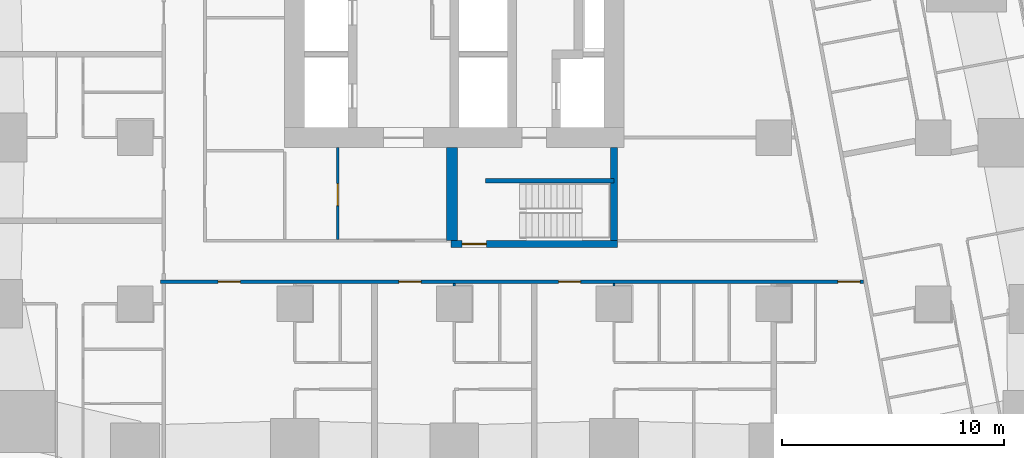
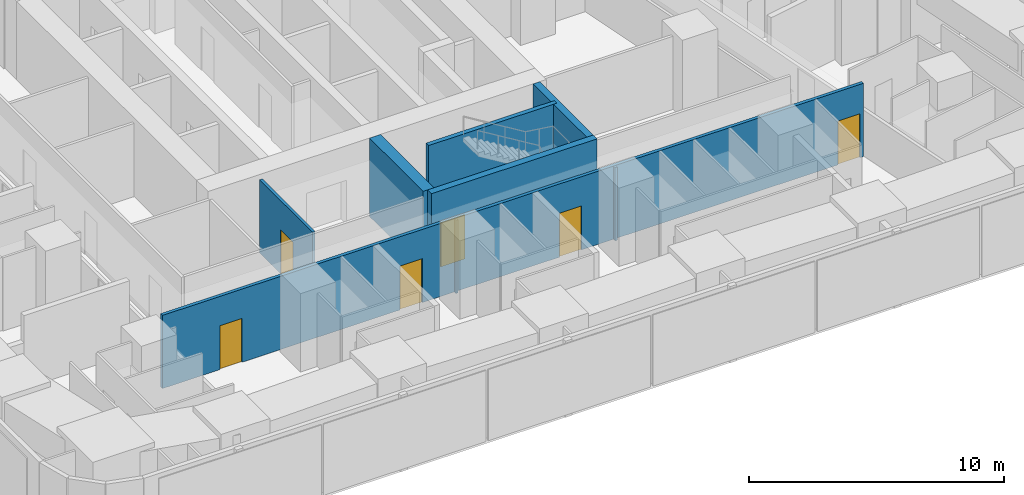
# One storey, part 4 of 16: 8 walls, 6 doors, 6 openings.
"""IFC4 building model written with IfcOpenShell, lengths in metres."""

from ifc_helpers import new_model, si_unit, direction, frame, frame_2d, origin, place, context, subcontext, project, spatial, rectangle, extrude, material, layer, layer_set, type_object, element, fill, save


model = new_model("IFC4")

# Units and contexts
model_context = context("Model", 3, precision=1e-05, world=origin(), true_north=direction((0.0, 1.0)))
body_context = subcontext(model_context, "Body", "Model", "MODEL_VIEW")
ifc_project = project(units=[si_unit("LENGTHUNIT", "METRE"), si_unit("AREAUNIT", "SQUARE_METRE"), si_unit("VOLUMEUNIT", "CUBIC_METRE"), si_unit("PLANEANGLEUNIT", "RADIAN"), si_unit("MASSUNIT", "GRAM", prefix="KILO")], contexts=[model_context])

# Site, building, storey
site_placement = place(None, origin())
site = spatial("IfcSite", under=ifc_project, at=site_placement, CompositionType="ELEMENT")
building_placement = place(site_placement, origin())
building = spatial("IfcBuilding", under=site, at=building_placement, Name="Sheger Commons Tower", CompositionType="ELEMENT")
storey_placement = place(building_placement, frame((0.0, 0.0, 96.64990234375)))
storey = spatial("IfcBuildingStorey", under=building, at=storey_placement, Name="L24", CompositionType="ELEMENT", Elevation=96.64990234375)

# Wall, openings, doors
ifc_material_1 = material(Name="Hollow concrete block masonry, skimmed both sides", Category="masonry")
ifc_layer_1 = layer(ifc_material_1, 0.14990234375)
ifc_layer_set_1 = layer_set([ifc_layer_1], Name="CORRIDOR WALL 150")
wall_type_1 = type_object("IfcWallType", Name="CORRIDOR WALL 150", PredefinedType="SOLIDWALL", material=ifc_layer_set_1)
wall_1_placement = place(storey_placement, frame((40.052978515625, 8.5, 0.0), z_axis=(0.0, 0.0, 1.0), x_axis=(-1.0, 0.0, 0.0)))
wall_1 = element("IfcWall", 1, at=wall_1_placement, inside=storey, type_object=wall_type_1, Name="Corridor wall L24", PredefinedType="SOLIDWALL", context=body_context, shape_type="SweptSolid", body=[
    extrude(rectangle(XDim=31.702880859375, YDim=0.14990234375, at=frame_2d((15.8515625, 0.0))), origin(), (0.0, 0.0, 1.0), 3.5),
])
opening_1_placement = place(wall_1_placement, frame((28.10302734375, 0.0, 0.0)))
opening_1 = element("IfcOpeningElement", 2, at=opening_1_placement, cuts=wall_1, Name="Opening D1", PredefinedType="OPENING", context=body_context, shape_type="SweptSolid", body=[
    extrude(rectangle(XDim=1.0, YDim=2.10009765625, at=frame_2d((0.5, 1.050048828125))), frame((0.0, 0.0849609375, 0.0), z_axis=(0.0, -1.0, 0.0), x_axis=(1.0, 0.0, 0.0)), (0.0, 0.0, 1.0), 0.169921875),
])
opening_2_placement = place(wall_1_placement, frame((19.952880859375, 0.0, 0.0)))
opening_2 = element("IfcOpeningElement", 3, at=opening_2_placement, cuts=wall_1, Name="Opening D1", PredefinedType="OPENING", context=body_context, shape_type="SweptSolid", body=[
    extrude(rectangle(XDim=1.0, YDim=2.10009765625, at=frame_2d((0.5, 1.050048828125))), frame((0.0, 0.0849609375, 0.0), z_axis=(0.0, -1.0, 0.0), x_axis=(1.0, 0.0, 0.0)), (0.0, 0.0, 1.0), 0.169921875),
])
opening_3_placement = place(wall_1_placement, frame((12.7529296875, 0.0, 0.0)))
opening_3 = element("IfcOpeningElement", 4, at=opening_3_placement, cuts=wall_1, Name="Opening D1", PredefinedType="OPENING", context=body_context, shape_type="SweptSolid", body=[
    extrude(rectangle(XDim=1.0, YDim=2.10009765625, at=frame_2d((0.5, 1.050048828125))), frame((0.0, 0.0849609375, 0.0), z_axis=(0.0, -1.0, 0.0), x_axis=(1.0, 0.0, 0.0)), (0.0, 0.0, 1.0), 0.169921875),
])
opening_4_placement = place(wall_1_placement, frame((0.14990234375, 0.0, 0.0)))
opening_4 = element("IfcOpeningElement", 5, at=opening_4_placement, cuts=wall_1, Name="Opening D1", PredefinedType="OPENING", context=body_context, shape_type="SweptSolid", body=[
    extrude(rectangle(XDim=1.0, YDim=2.10009765625, at=frame_2d((0.5, 1.050048828125))), frame((0.0, 0.0849609375, 0.0), z_axis=(0.0, -1.0, 0.0), x_axis=(1.0, 0.0, 0.0)), (0.0, 0.0, 1.0), 0.169921875),
])
ifc_material_2 = material(Name="Steel door set, fire rated", Category="steel")
door_type_1 = type_object("IfcDoorType", Name="FLAT ENTRANCE DOOR 1000x2100", OperationType="NOTDEFINED", PredefinedType="DOOR", material=ifc_material_2)
door_1_placement = place(opening_1_placement, origin())
door_1 = element("IfcDoor", 6, at=door_1_placement, inside=storey, type_object=door_type_1, Name="Flat entrance door", OperationType="SINGLE_SWING_RIGHT", OverallHeight=2.10009765625, OverallWidth=1.0, PredefinedType="DOOR", context=body_context, shape_type="SweptSolid", body=[
    extrude(rectangle(XDim=1.0, YDim=2.10009765625, at=frame_2d((0.5, 1.050048828125))), frame((0.0, 0.02490234375, 0.0), z_axis=(0.0, -1.0, 0.0), x_axis=(1.0, 0.0, 0.0)), (0.0, 0.0, 1.0), 0.050048828125),
])
fill(opening_1, door_1)
door_2_placement = place(opening_2_placement, origin())
door_2 = element("IfcDoor", 7, at=door_2_placement, inside=storey, type_object=door_type_1, Name="Flat entrance door", OperationType="SINGLE_SWING_RIGHT", OverallHeight=2.10009765625, OverallWidth=1.0, PredefinedType="DOOR", context=body_context, shape_type="SweptSolid", body=[
    extrude(rectangle(XDim=1.0, YDim=2.10009765625, at=frame_2d((0.5, 1.050048828125))), frame((0.0, 0.02490234375, 0.0), z_axis=(0.0, -1.0, 0.0), x_axis=(1.0, 0.0, 0.0)), (0.0, 0.0, 1.0), 0.050048828125),
])
fill(opening_2, door_2)
door_3_placement = place(opening_3_placement, origin())
door_3 = element("IfcDoor", 8, at=door_3_placement, inside=storey, type_object=door_type_1, Name="Flat entrance door", OperationType="SINGLE_SWING_RIGHT", OverallHeight=2.10009765625, OverallWidth=1.0, PredefinedType="DOOR", context=body_context, shape_type="SweptSolid", body=[
    extrude(rectangle(XDim=1.0, YDim=2.10009765625, at=frame_2d((0.5, 1.050048828125))), frame((0.0, 0.02490234375, 0.0), z_axis=(0.0, -1.0, 0.0), x_axis=(1.0, 0.0, 0.0)), (0.0, 0.0, 1.0), 0.050048828125),
])
fill(opening_3, door_3)
door_4_placement = place(opening_4_placement, origin())
door_4 = element("IfcDoor", 9, at=door_4_placement, inside=storey, type_object=door_type_1, Name="Flat entrance door", OperationType="SINGLE_SWING_LEFT", OverallHeight=2.10009765625, OverallWidth=1.0, PredefinedType="DOOR", context=body_context, shape_type="SweptSolid", body=[
    extrude(rectangle(XDim=1.0, YDim=2.10009765625, at=frame_2d((0.5, 1.050048828125))), frame((0.0, 0.02490234375, 0.0), z_axis=(0.0, -1.0, 0.0), x_axis=(1.0, 0.0, 0.0)), (0.0, 0.0, 1.0), 0.050048828125),
])
fill(opening_4, door_4)

# Walls
ifc_material_3 = material(Name="Gypsum board on steel studs", Category="steel")
ifc_layer_2 = layer(ifc_material_3, 0.10009765625)
ifc_layer_set_2 = layer_set([ifc_layer_2], Name="PARTITION 100")
wall_type_2 = type_object("IfcWallType", Name="PARTITION 100", PredefinedType="PARTITIONING", material=ifc_layer_set_2)
for number, where, z_axis, x_axis, name in (
    (10, (21.60009765625, 8.301025390625, 0.0), (0.0, 0.0, 1.0), (0.0, 1.0, 0.0), "Partition L24"),
    (11, (28.800048828125, 8.301025390625, 0.0), (0.0, 0.0, 1.0), (0.0, 1.0, 0.0), "Partition L24"),
):
    element("IfcWall", number, at=place(storey_placement, frame(where, z_axis=z_axis, x_axis=x_axis)), inside=storey, type_object=wall_type_2, Name=name, PredefinedType="PARTITIONING", context=body_context, shape_type="SweptSolid", body=[
        extrude(rectangle(XDim=0.1240234375, YDim=0.10009765625, at=frame_2d((0.06201171875, 0.0))), origin(), (0.0, 0.0, 1.0), 3.5),
    ])

# Wall, opening, door
ifc_material_4 = material(Name="Gypsum board on steel studs, two layers each side, fire rated", Category="steel")
ifc_layer_3 = layer(ifc_material_4, 0.125)
ifc_layer_set_3 = layer_set([ifc_layer_3], Name="SERVICE WALL 125")
wall_type_3 = type_object("IfcWallType", Name="SERVICE WALL 125", PredefinedType="PARTITIONING", material=ifc_layer_set_3)
wall_2_placement = place(storey_placement, frame((16.340087890625, 10.4130859375, 0.0), z_axis=(0.0, 0.0, 1.0), x_axis=(0.0, 1.0, 0.0)))
wall_2 = element("IfcWall", 12, at=wall_2_placement, inside=storey, type_object=wall_type_3, Name="Service room wall L24", PredefinedType="PARTITIONING", context=body_context, shape_type="SweptSolid", body=[
    extrude(rectangle(XDim=4.136962890625, YDim=0.125, at=frame_2d((2.068359375, 0.0))), origin(), (0.0, 0.0, 1.0), 3.5),
])
opening_5_placement = place(wall_2_placement, frame((1.511962890625, 0.0, 0.0)))
opening_5 = element("IfcOpeningElement", 13, at=opening_5_placement, cuts=wall_2, Name="Opening D4", PredefinedType="OPENING", context=body_context, shape_type="SweptSolid", body=[
    extrude(rectangle(XDim=1.0, YDim=2.10009765625, at=frame_2d((0.5, 1.050048828125))), frame((0.0, 0.072509765625, 0.0), z_axis=(0.0, -1.0, 0.0), x_axis=(1.0, 0.0, 0.0)), (0.0, 0.0, 1.0), 0.14501953125),
])
ifc_material_5 = material(Name="Steel door set, fire rated", Category="steel")
door_type_2 = type_object("IfcDoorType", Name="SERVICE DOOR 1000x2100", OperationType="NOTDEFINED", PredefinedType="DOOR", material=ifc_material_5)
door_5_placement = place(opening_5_placement, origin())
door_5 = element("IfcDoor", 14, at=door_5_placement, inside=storey, type_object=door_type_2, Name="Electrical room door", OperationType="SINGLE_SWING_LEFT", OverallHeight=2.10009765625, OverallWidth=1.0, PredefinedType="DOOR", context=body_context, shape_type="SweptSolid", body=[
    extrude(rectangle(XDim=1.0, YDim=2.10009765625, at=frame_2d((0.5, 1.050048828125))), frame((0.0, 0.02490234375, 0.0), z_axis=(0.0, -1.0, 0.0), x_axis=(1.0, 0.0, 0.0)), (0.0, 0.0, 1.0), 0.050048828125),
])
fill(opening_5, door_5)

ifc_material_6 = material(Name="Concrete C50/60", Category="concrete")
ifc_layer_4 = layer(ifc_material_6, 0.300048828125)
ifc_layer_set_4 = layer_set([ifc_layer_4], Name="STAIR CORE WALL 300")
wall_type_4 = type_object("IfcWallType", Name="STAIR CORE WALL 300", PredefinedType="SHEAR", material=ifc_layer_set_4)
wall_3_placement = place(storey_placement, frame((21.449951171875, 10.199951171875, 0.0), z_axis=(0.0, 0.0, 1.0), x_axis=(1.0, 0.0, 0.0)))
wall_3 = element("IfcWall", 15, at=wall_3_placement, inside=storey, type_object=wall_type_4, Name="STW-L24-S1S", PredefinedType="SHEAR", context=body_context, shape_type="SweptSolid", body=[
    extrude(rectangle(XDim=7.5, YDim=0.300048828125, at=frame_2d((3.75, 0.0))), origin(), (0.0, 0.0, 1.0), 3.75),
])
opening_6_placement = place(wall_3_placement, frame((0.5, 0.0, 0.0)))
opening_6 = element("IfcOpeningElement", 16, at=opening_6_placement, cuts=wall_3, Name="Opening D5", PredefinedType="OPENING", context=body_context, shape_type="SweptSolid", body=[
    extrude(rectangle(XDim=1.10009765625, YDim=2.10009765625, at=frame_2d((0.550048828125, 1.050048828125))), frame((0.0, 0.159912109375, 0.0), z_axis=(0.0, -1.0, 0.0), x_axis=(1.0, 0.0, 0.0)), (0.0, 0.0, 1.0), 0.320068359375),
])
ifc_material_7 = material(Name="Steel door set, fire rated", Category="steel")
door_type_3 = type_object("IfcDoorType", Name="STAIR DOOR 1100x2100", OperationType="NOTDEFINED", PredefinedType="DOOR", material=ifc_material_7)
door_6_placement = place(opening_6_placement, origin())
door_6 = element("IfcDoor", 17, at=door_6_placement, inside=storey, type_object=door_type_3, Name="Stair S1 door", OperationType="SINGLE_SWING_LEFT", OverallHeight=2.10009765625, OverallWidth=1.10009765625, PredefinedType="DOOR", context=body_context, shape_type="SweptSolid", body=[
    extrude(rectangle(XDim=1.10009765625, YDim=2.10009765625, at=frame_2d((0.550048828125, 1.050048828125))), frame((0.0, 0.02490234375, 0.0), z_axis=(0.0, -1.0, 0.0), x_axis=(1.0, 0.0, 0.0)), (0.0, 0.0, 1.0), 0.050048828125),
])
fill(opening_6, door_6)

# Walls
wall_4_placement = place(storey_placement, frame((28.800048828125, 10.35009765625, 0.0), z_axis=(0.0, 0.0, 1.0), x_axis=(0.0, 1.0, 0.0)))
element("IfcWall", 18, at=wall_4_placement, inside=storey, type_object=wall_type_4, Name="STW-L24-S1E", PredefinedType="SHEAR", context=body_context, shape_type="SweptSolid", body=[
    extrude(rectangle(XDim=4.199951171875, YDim=0.300048828125, at=frame_2d((2.10009765625, 0.0))), origin(), (0.0, 0.0, 1.0), 3.75),
])
ifc_material_8 = material(Name="Concrete C50/60", Category="concrete")
ifc_layer_5 = layer(ifc_material_8, 0.5)
ifc_layer_set_5 = layer_set([ifc_layer_5], Name="STAIR CORE WALL 500")
wall_type_5 = type_object("IfcWallType", Name="STAIR CORE WALL 500", PredefinedType="SHEAR", material=ifc_layer_set_5)
wall_5_placement = place(storey_placement, frame((21.5, 10.35009765625, 0.0), z_axis=(0.0, 0.0, 1.0), x_axis=(0.0, 1.0, 0.0)))
element("IfcWall", 19, at=wall_5_placement, inside=storey, type_object=wall_type_5, Name="STW-L24-S1W", PredefinedType="SHEAR", context=body_context, shape_type="SweptSolid", body=[
    extrude(rectangle(XDim=4.199951171875, YDim=0.5, at=frame_2d((2.10009765625, 0.0))), origin(), (0.0, 0.0, 1.0), 3.75),
])
ifc_material_9 = material(Name="Concrete C50/60", Category="concrete")
ifc_layer_6 = layer(ifc_material_9, 0.199951171875)
ifc_layer_set_6 = layer_set([ifc_layer_6], Name="STAIR SPINE WALL 200")
wall_type_6 = type_object("IfcWallType", Name="STAIR SPINE WALL 200", PredefinedType="SHEAR", material=ifc_layer_set_6)
wall_6_placement = place(storey_placement, frame((23.0, 13.050048828125, 0.0), z_axis=(0.0, 0.0, 1.0), x_axis=(1.0, 0.0, 0.0)))
element("IfcWall", 20, at=wall_6_placement, inside=storey, type_object=wall_type_6, Name="Stair spine wall L24", PredefinedType="SHEAR", context=body_context, shape_type="SweptSolid", body=[
    extrude(rectangle(XDim=5.800048828125, YDim=0.199951171875, at=frame_2d((2.89990234375, 0.0))), origin(), (0.0, 0.0, 1.0), 3.75),
])

save(model, "model.ifc")
